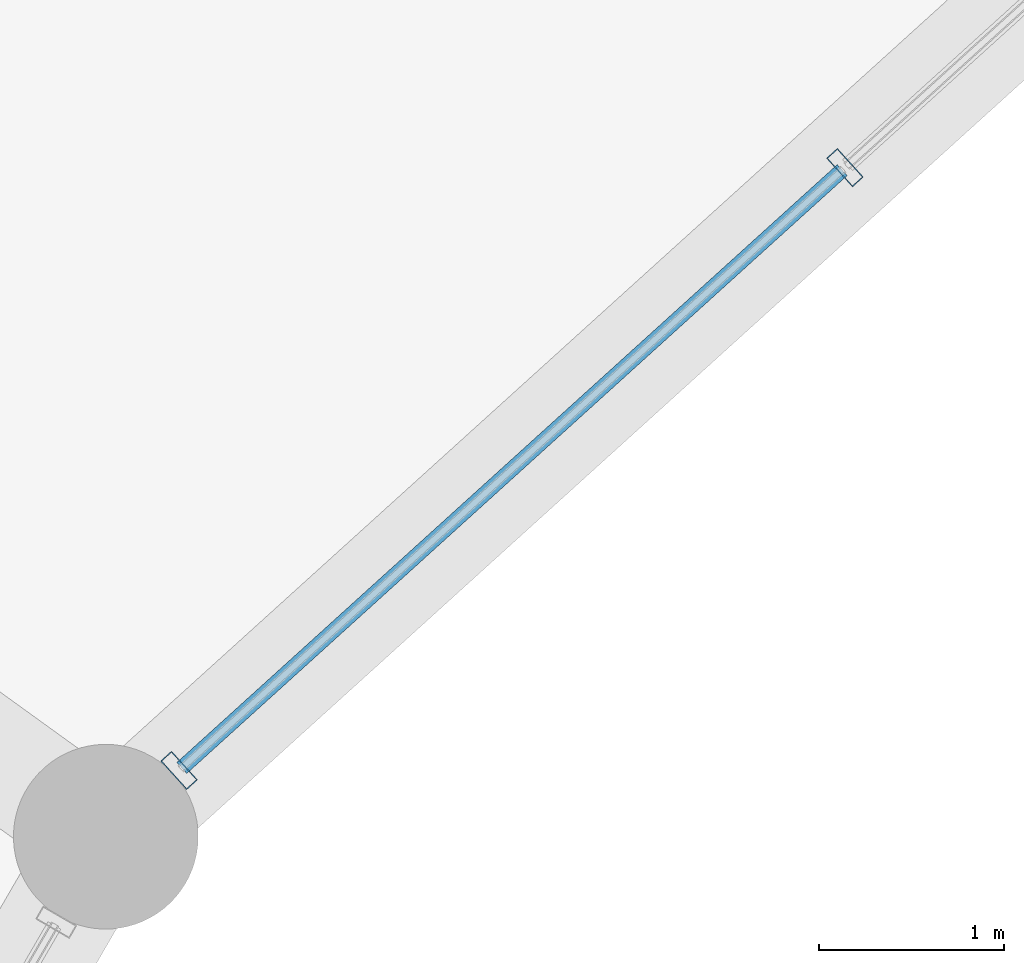
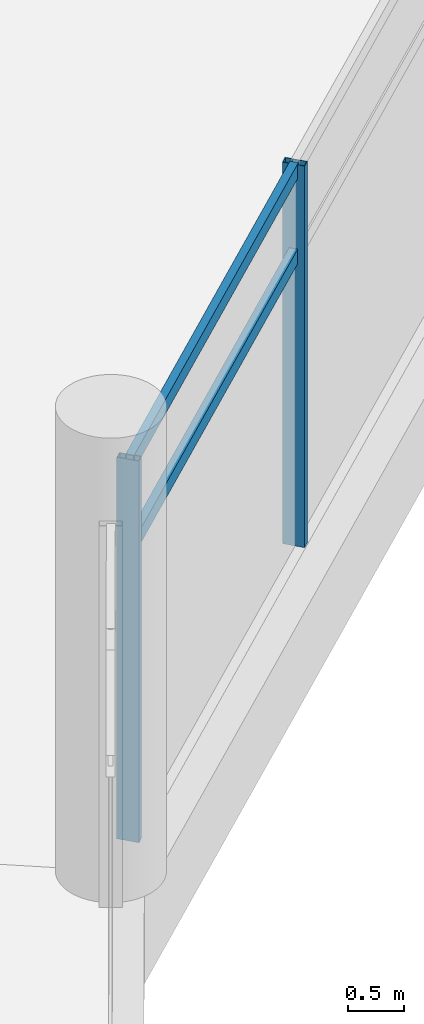
# One storey, part 96 of 184: 4 members, 1 element without a shape of its own.
"""IFC4 building model written with IfcOpenShell, lengths in metres."""

from ifc_helpers import new_model, si_unit, direction, frame, origin, origin_2d, place, context, subcontext, project, spatial, hollow_rectangle, extrude, material, layer, layer_set, material_profile, profile_set, type_object, element, aggregate, save


model = new_model("IFC4")

# Units and contexts
model_context = context("Model", 3, precision=1e-05, world=origin(), true_north=direction((0.0, 1.0)))
body_context = subcontext(model_context, "Body", "Model", "MODEL_VIEW")
ifc_project = project(units=[si_unit("LENGTHUNIT", "METRE"), si_unit("AREAUNIT", "SQUARE_METRE"), si_unit("VOLUMEUNIT", "CUBIC_METRE"), si_unit("PLANEANGLEUNIT", "RADIAN"), si_unit("MASSUNIT", "GRAM", prefix="KILO")], contexts=[model_context])

# Site, building, storey
site_placement = place(None, origin())
site = spatial("IfcSite", under=ifc_project, at=site_placement, CompositionType="ELEMENT")
building_placement = place(site_placement, origin())
building = spatial("IfcBuilding", under=site, at=building_placement, Name="Kazemori Nagisa Stadium", CompositionType="ELEMENT")
storey_placement = place(building_placement, frame((0.0, 0.0, 10.5400390625)))
storey = spatial("IfcBuildingStorey", under=building, at=storey_placement, Name="L02", CompositionType="ELEMENT", Elevation=10.5400390625)

# Curtain wall, members
ifc_material_1 = material(Name="Anodised aluminium 6063-T5", Category="aluminium")
ifc_layer = layer(ifc_material_1, 0.2099609375, Name="Anodised aluminium 6063-T5", Category="aluminium")
ifc_layer_set = layer_set([ifc_layer], Name="Anodised aluminium 6063-T5")
curtain_wall_type = type_object("IfcCurtainWallType", Name="CW_L02B_73", PredefinedType="USERDEFINED", material=ifc_layer_set)
curtain_wall_placement = place(storey_placement, origin())
curtain_wall = element("IfcCurtainWall", 1, at=curtain_wall_placement, inside=storey, type_object=curtain_wall_type, Name="Unitised curtain wall CW-L02B-73 L02", ObjectType="UNITISED CURTAIN WALL", PredefinedType="USERDEFINED")
ifc_material_2 = material(Name="Aluminium 6063-T5 anodised", Category="aluminium")
ifc_material_profile_1 = material_profile(ifc_material_2, hollow_rectangle(XDim=0.080078125, YDim=0.2099609375, WallThickness=0.0048828125, at=origin_2d()), Name="ALU-MULL-80x210x5")
ifc_profile_set_1 = profile_set([ifc_material_profile_1], Name="Aluminium 6063-T5 anodised")
member_type_1 = type_object("IfcMemberType", Name="Mullion_M02", PredefinedType="MULLION", material=ifc_profile_set_1)
member_1_placement = place(storey_placement, frame((69.698974609375, 146.989013671875, 0.0), z_axis=(0.0, 0.0, 1.0), x_axis=(-0.741350875443, -0.671117634607, 0.0)))
member_1 = element("IfcMember", 2, at=member_1_placement, type_object=member_type_1, Name="Curtain wall mullion CW-L02B-73-M3", PredefinedType="MULLION", context=body_context, shape_type="SweptSolid", body=[
    extrude(hollow_rectangle(XDim=0.080078125, YDim=0.2099609375, WallThickness=0.0048828125, at=origin_2d()), origin(), (0.0, 0.0, 1.0), 4.18994140625),
])
member_2_placement = place(storey_placement, frame((66.094970703125, 143.726318359375, 0.0), z_axis=(0.0, 0.0, 1.0), x_axis=(-0.741350875443, -0.671117634607, 0.0)))
member_2 = element("IfcMember", 3, at=member_2_placement, type_object=member_type_1, Name="Curtain wall mullion CW-L02B-73-M4", PredefinedType="MULLION", context=body_context, shape_type="SweptSolid", body=[
    extrude(hollow_rectangle(XDim=0.080078125, YDim=0.2099609375, WallThickness=0.0048828125, at=origin_2d()), origin(), (0.0, 0.0, 1.0), 4.18994140625),
])
ifc_material_profile_2 = material_profile(ifc_material_2, hollow_rectangle(XDim=0.080078125, YDim=0.159912109375, WallThickness=0.00390625, at=origin_2d()), Name="ALU-TRAN-80x160x4")
ifc_profile_set_2 = profile_set([ifc_material_profile_2], Name="Aluminium 6063-T5 anodised")
member_type_2 = type_object("IfcMemberType", Name="Transom_T02", PredefinedType="USERDEFINED", material=ifc_profile_set_2)
member_3_placement = place(storey_placement, frame((69.68408203125, 146.9755859375, 3.184326171875), z_axis=(-0.741327007297, -0.671143999639, 0.0), x_axis=(0.671143999639, -0.741327007297, 0.0)))
member_3 = element("IfcMember", 4, at=member_3_placement, type_object=member_type_2, Name="Curtain wall transom CW-L02B-73-T3-mid", ObjectType="TRANSOM", PredefinedType="USERDEFINED", context=body_context, shape_type="SweptSolid", body=[
    extrude(hollow_rectangle(XDim=0.080078125, YDim=0.159912109375, WallThickness=0.00390625, at=origin_2d()), origin(), (0.0, 0.0, 1.0), 4.8212890625),
])
member_4_placement = place(storey_placement, frame((69.68408203125, 146.9755859375, 4.119873046875), z_axis=(-0.741327007297, -0.671143999639, 0.0), x_axis=(0.671143999639, -0.741327007297, 0.0)))
member_4 = element("IfcMember", 5, at=member_4_placement, type_object=member_type_2, Name="Curtain wall transom CW-L02B-73-T3-head", ObjectType="TRANSOM", PredefinedType="USERDEFINED", context=body_context, shape_type="SweptSolid", body=[
    extrude(hollow_rectangle(XDim=0.080078125, YDim=0.159912109375, WallThickness=0.00390625, at=origin_2d()), origin(), (0.0, 0.0, 1.0), 4.8212890625),
])
aggregate(curtain_wall, [member_1, member_2, member_3, member_4])

save(model, "model.ifc")
